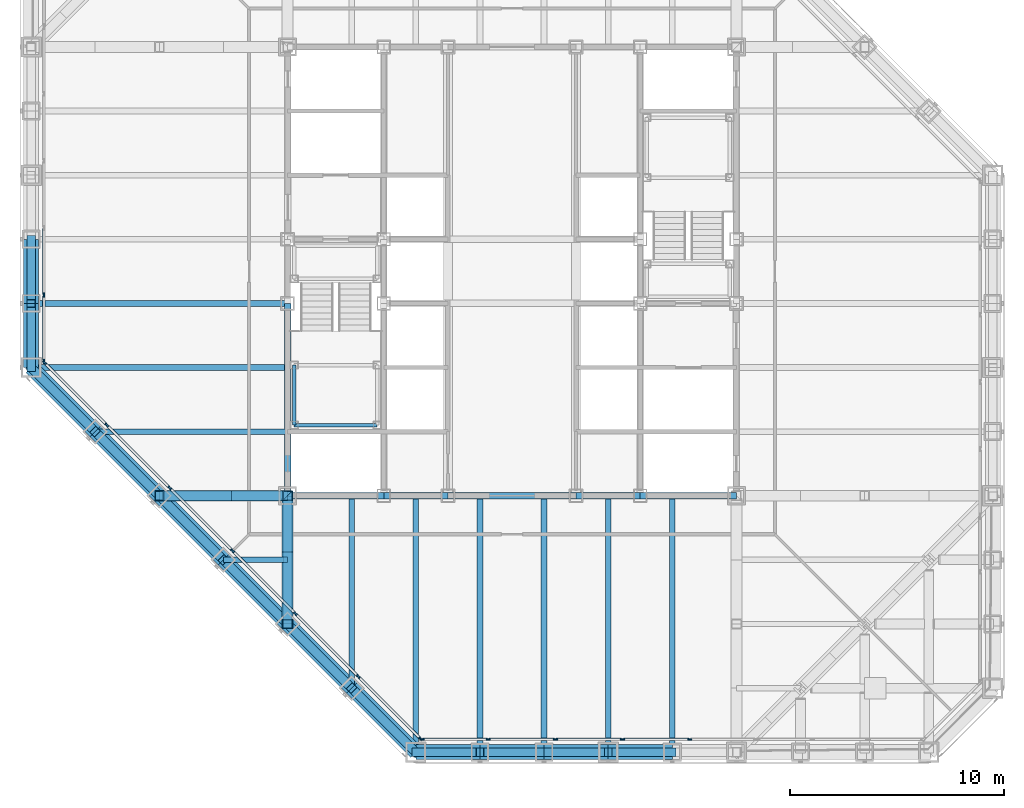
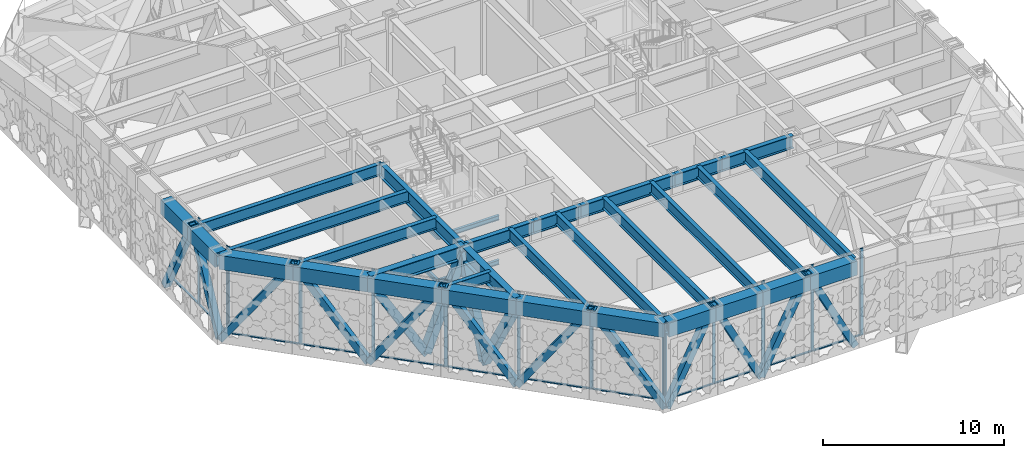
# One storey, part 4 of 28: 42 members, 34 beams, 3 elements without a shape of their own.
"""IFC4 building model written with IfcOpenShell, lengths in metres."""

from ifc_helpers import new_model, si_unit, direction, frame, origin, origin_2d, place, context, subcontext, project, spatial, rectangle, hollow_rectangle, i_section, extrude, material, layer, layer_set, material_profile, profile_set, type_object, element, aggregate, save


model = new_model("IFC4")

# Units and contexts
model_context = context("Model", 3, precision=1e-05, world=origin(), true_north=direction((0.0, 1.0)))
body_context = subcontext(model_context, "Body", "Model", "MODEL_VIEW")
ifc_project = project(units=[si_unit("LENGTHUNIT", "METRE"), si_unit("AREAUNIT", "SQUARE_METRE"), si_unit("VOLUMEUNIT", "CUBIC_METRE"), si_unit("PLANEANGLEUNIT", "RADIAN"), si_unit("MASSUNIT", "GRAM", prefix="KILO")], contexts=[model_context])

# Site, building, storey
site_placement = place(None, origin())
site = spatial("IfcSite", under=ifc_project, at=site_placement, CompositionType="ELEMENT")
building_placement = place(site_placement, origin())
building = spatial("IfcBuilding", under=site, at=building_placement, Name="Chuquiago Exchange Tower", CompositionType="ELEMENT")
storey_placement = place(building_placement, frame((0.0, 0.0, 174.0)))
storey = spatial("IfcBuildingStorey", under=building, at=storey_placement, Name="L38", CompositionType="ELEMENT", Elevation=174.0)

# Beams
ifc_material_1 = material(Name="Steel ASTM A992", Category="steel")
ifc_material_profile_1 = material_profile(ifc_material_1, i_section(OverallWidth=0.307373046875, OverallDepth=0.927001953125, WebThickness=0.01953125, FlangeThickness=0.031982421875, at=origin_2d()), Name="W36X194")
ifc_profile_set_1 = profile_set([ifc_material_profile_1], Name="Steel ASTM A992")
beam_type_1 = type_object("IfcBeamType", Name="B10 W36X194", PredefinedType="BEAM", material=ifc_profile_set_1)
beam_1_placement = place(storey_placement, frame((12.0, 12.0, 5.37646484375), z_axis=(0.0, 1.0, 0.0), x_axis=(-1.0, 0.0, 0.0)))
element("IfcBeam", 1, at=beam_1_placement, inside=storey, type_object=beam_type_1, Name="CB-L39-12_12-12_21", PredefinedType="BEAM", context=body_context, shape_type="SweptSolid", body=[
    extrude(i_section(OverallWidth=0.307373046875, OverallDepth=0.927001953125, WebThickness=0.01953125, FlangeThickness=0.031982421875, at=origin_2d()), origin(), (0.0, 0.0, 1.0), 9.0),
])
ifc_material_2 = material(Name="Steel ASTM A992", Category="steel")
ifc_material_profile_2 = material_profile(ifc_material_2, i_section(OverallWidth=0.2919921875, OverallDepth=0.8583984375, WebThickness=0.01708984375, FlangeThickness=0.031005859375, at=origin_2d()), Name="W33X169")
ifc_profile_set_2 = profile_set([ifc_material_profile_2], Name="Steel ASTM A992")
beam_type_2 = type_object("IfcBeamType", Name="B3 W33X169", PredefinedType="BEAM", material=ifc_profile_set_2)
beam_2_placement = place(storey_placement, frame((12.0, 12.0, 5.41064453125), z_axis=(1.0, 0.0, 0.0), x_axis=(0.0, 1.0, 0.0)))
element("IfcBeam", 2, at=beam_2_placement, inside=storey, type_object=beam_type_2, Name="CB-L39-12_12-16.5_12", PredefinedType="BEAM", context=body_context, shape_type="SweptSolid", body=[
    extrude(i_section(OverallWidth=0.2919921875, OverallDepth=0.8583984375, WebThickness=0.01708984375, FlangeThickness=0.031005859375, at=origin_2d()), origin(), (0.0, 0.0, 1.0), 4.5),
])
beam_3_placement = place(storey_placement, frame((16.5, 12.0, 5.41064453125), z_axis=(1.0, 0.0, 0.0), x_axis=(0.0, 1.0, 0.0)))
element("IfcBeam", 3, at=beam_3_placement, inside=storey, type_object=beam_type_2, Name="CB-L39-16.5_12-19.5_12", PredefinedType="BEAM", context=body_context, shape_type="SweptSolid", body=[
    extrude(i_section(OverallWidth=0.2919921875, OverallDepth=0.8583984375, WebThickness=0.01708984375, FlangeThickness=0.031005859375, at=origin_2d()), origin(), (0.0, 0.0, 1.0), 3.0),
])
beam_4_placement = place(storey_placement, frame((19.5, 12.0, 5.41064453125), z_axis=(1.0, 0.0, 0.0), x_axis=(0.0, 1.0, 0.0)))
element("IfcBeam", 4, at=beam_4_placement, inside=storey, type_object=beam_type_2, Name="CB-L39-19.5_12-25.5_12", PredefinedType="BEAM", context=body_context, shape_type="SweptSolid", body=[
    extrude(i_section(OverallWidth=0.2919921875, OverallDepth=0.8583984375, WebThickness=0.01708984375, FlangeThickness=0.031005859375, at=origin_2d()), origin(), (0.0, 0.0, 1.0), 6.0),
])
beam_5_placement = place(storey_placement, frame((25.5, 12.0, 5.41064453125), z_axis=(1.0, 0.0, 0.0), x_axis=(0.0, 1.0, 0.0)))
element("IfcBeam", 5, at=beam_5_placement, inside=storey, type_object=beam_type_2, Name="CB-L39-25.5_12-28.5_12", PredefinedType="BEAM", context=body_context, shape_type="SweptSolid", body=[
    extrude(i_section(OverallWidth=0.2919921875, OverallDepth=0.8583984375, WebThickness=0.01708984375, FlangeThickness=0.031005859375, at=origin_2d()), origin(), (0.0, 0.0, 1.0), 3.0),
])
beam_6_placement = place(storey_placement, frame((28.5, 12.0, 5.41064453125), z_axis=(1.0, 0.0, 0.0), x_axis=(0.0, 1.0, 0.0)))
element("IfcBeam", 6, at=beam_6_placement, inside=storey, type_object=beam_type_2, Name="CB-L39-28.5_12-33_12", PredefinedType="BEAM", context=body_context, shape_type="SweptSolid", body=[
    extrude(i_section(OverallWidth=0.2919921875, OverallDepth=0.8583984375, WebThickness=0.01708984375, FlangeThickness=0.031005859375, at=origin_2d()), origin(), (0.0, 0.0, 1.0), 4.5),
])
ifc_material_3 = material(Name="Steel ASTM A992", Category="steel")
ifc_material_profile_3 = material_profile(ifc_material_3, i_section(OverallWidth=0.2666015625, OverallDepth=0.761962890625, WebThickness=0.014404296875, FlangeThickness=0.021484375, at=origin_2d()), Name="W30X116")
ifc_profile_set_3 = profile_set([ifc_material_profile_3], Name="Steel ASTM A992")
beam_type_3 = type_object("IfcBeamType", Name="B8 W30X116", PredefinedType="BEAM", material=ifc_profile_set_3)
beam_7_placement = place(storey_placement, frame((15.0, 12.0, 5.458984375), z_axis=(0.0, -1.0, 0.0), x_axis=(1.0, 0.0, 0.0)))
element("IfcBeam", 7, at=beam_7_placement, inside=storey, type_object=beam_type_3, Name="FB-L39-infill-15_12-15_3-0", PredefinedType="BEAM", context=body_context, shape_type="SweptSolid", body=[
    extrude(i_section(OverallWidth=0.2666015625, OverallDepth=0.761962890625, WebThickness=0.014404296875, FlangeThickness=0.021484375, at=origin_2d()), origin(), (0.0, 0.0, 1.0), 9.0),
])
for number, where, z_axis, x_axis, name in (
    (8, (18.0, 12.0, 5.458984375), (0.0, -1.0, 0.0), (1.0, 0.0, 0.0), "FB-L39-infill-18_12-18_-0-0"),
    (9, (21.0, 12.0, 5.458984375), (0.0, -1.0, 0.0), (1.0, 0.0, 0.0), "FB-L39-infill-21_12-21_-0-0"),
    (10, (24.0, 12.0, 5.458984375), (0.0, -1.0, 0.0), (1.0, 0.0, 0.0), "FB-L39-infill-24_12-24_-0-0"),
    (11, (27.0, 12.0, 5.458984375), (0.0, -1.0, 0.0), (1.0, 0.0, 0.0), "FB-L39-infill-27_12-27_-0-0"),
    (12, (30.0, 12.0, 5.458984375), (0.0, -1.0, 0.0), (1.0, 0.0, 0.0), "FB-L39-infill-30_12-30_-0-0"),
):
    element("IfcBeam", number, at=place(storey_placement, frame(where, z_axis=z_axis, x_axis=x_axis)), inside=storey, type_object=beam_type_3, Name=name, PredefinedType="BEAM", context=body_context, shape_type="SweptSolid", body=[
        extrude(i_section(OverallWidth=0.2666015625, OverallDepth=0.761962890625, WebThickness=0.014404296875, FlangeThickness=0.021484375, at=origin_2d()), origin(), (0.0, 0.0, 1.0), 12.0),
    ])
beam_8_placement = place(storey_placement, frame((12.0, 15.0, 5.458984375), z_axis=(-1.0, 0.0, 0.0), x_axis=(0.0, -1.0, 0.0)))
element("IfcBeam", 13, at=beam_8_placement, inside=storey, type_object=beam_type_3, Name="FB-L39-infill-12_15-3_15-0", PredefinedType="BEAM", context=body_context, shape_type="SweptSolid", body=[
    extrude(i_section(OverallWidth=0.2666015625, OverallDepth=0.761962890625, WebThickness=0.014404296875, FlangeThickness=0.021484375, at=origin_2d()), origin(), (0.0, 0.0, 1.0), 9.0),
])
for number, where, z_axis, x_axis, name in (
    (14, (12.0, 18.0, 5.458984375), (-1.0, 0.0, 0.0), (0.0, -1.0, 0.0), "FB-L39-infill-12_18--0_18-0"),
    (15, (12.0, 21.0, 5.458984375), (-1.0, 0.0, 0.0), (0.0, -1.0, 0.0), "FB-L39-infill-12_21--0_21-0"),
):
    element("IfcBeam", number, at=place(storey_placement, frame(where, z_axis=z_axis, x_axis=x_axis)), inside=storey, type_object=beam_type_3, Name=name, PredefinedType="BEAM", context=body_context, shape_type="SweptSolid", body=[
        extrude(i_section(OverallWidth=0.2666015625, OverallDepth=0.761962890625, WebThickness=0.014404296875, FlangeThickness=0.021484375, at=origin_2d()), origin(), (0.0, 0.0, 1.0), 12.0),
    ])
ifc_material_4 = material(Name="Steel ASTM A992", Category="steel")
ifc_material_profile_4 = material_profile(ifc_material_4, i_section(OverallWidth=0.256591796875, OverallDepth=0.693359375, WebThickness=0.014404296875, FlangeThickness=0.023681640625, at=origin_2d()), Name="W27X114")
ifc_profile_set_4 = profile_set([ifc_material_profile_4], Name="Steel ASTM A992")
beam_type_4 = type_object("IfcBeamType", Name="B9 W27X114", PredefinedType="BEAM", material=ifc_profile_set_4)
beam_9_placement = place(storey_placement, frame((12.0, 9.0, 5.493408203125), z_axis=(-1.0, 0.0, 0.0), x_axis=(0.0, -1.0, 0.0)))
element("IfcBeam", 16, at=beam_9_placement, inside=storey, type_object=beam_type_4, Name="FB-L39-corner-12_9-9_9-0", PredefinedType="BEAM", context=body_context, shape_type="SweptSolid", body=[
    extrude(i_section(OverallWidth=0.256591796875, OverallDepth=0.693359375, WebThickness=0.014404296875, FlangeThickness=0.023681640625, at=origin_2d()), origin(), (0.0, 0.0, 1.0), 3.0),
])

# Members
ifc_material_5 = material(Name="Steel ASTM A500 Grade C", Category="steel")
ifc_material_profile_5 = material_profile(ifc_material_5, hollow_rectangle(XDim=0.406494140625, YDim=0.406494140625, WallThickness=0.0146484375, at=origin_2d()), Name="HSS16X16X5/8")
ifc_profile_set_5 = profile_set([ifc_material_profile_5], Name="Steel ASTM A500 Grade C")
member_type_1 = type_object("IfcMemberType", Name="BT1 HSS16X16X5/8", PredefinedType="BRACE", material=ifc_profile_set_5)
for number, where, z_axis, x_axis, name in (
    (17, (18.0, 0.0, 0.0), (0.456929540486, 0.0, 0.889502892087), (0.0, 1.0, 0.0), "Belt truss L38 diagonal"),
    (18, (24.0, 0.0, 0.0), (-0.456929540486, 0.0, 0.889502892087), (0.0, -1.0, 0.0), "Belt truss L38 diagonal"),
    (19, (24.0, 0.0, 0.0), (0.456929540486, 0.0, 0.889502892087), (0.0, 1.0, 0.0), "Belt truss L38 diagonal"),
    (20, (30.0, 0.0, 0.0), (-0.456929540486, 0.0, 0.889502892087), (0.0, -1.0, 0.0), "Belt truss L38 diagonal"),
    (21, (0.0, 24.0, 0.0), (0.0, -0.456929540486, 0.889502892087), (1.0, 0.0, 0.0), "Belt truss L38 diagonal"),
    (22, (0.0, 18.0, 0.0), (0.0, 0.456929540486, 0.889502892087), (-1.0, 0.0, 0.0), "Belt truss L38 diagonal"),
):
    element("IfcMember", number, at=place(storey_placement, frame(where, z_axis=z_axis, x_axis=x_axis)), inside=storey, type_object=member_type_1, Name=name, PredefinedType="BRACE", context=body_context, shape_type="SweptSolid", body=[
        extrude(hollow_rectangle(XDim=0.406494140625, YDim=0.406494140625, WallThickness=0.0146484375, at=origin_2d()), origin(), (0.0, 0.0, 1.0), 6.565673828125),
    ])
for number, where, z_axis, x_axis, name in (
    (23, (0.0, 18.0, 0.0), (0.415599269943, -0.415599269943, 0.80904542125), (0.707106781187, 0.707106781187, 0.0), "Belt truss L38 diagonal"),
    (24, (6.0, 12.0, 0.0), (-0.415599269943, 0.415599269943, 0.80904542125), (-0.707106781187, -0.707106781187, 0.0), "Belt truss L38 diagonal"),
    (25, (6.0, 12.0, 0.0), (0.415599269943, -0.415599269943, 0.80904542125), (0.707106781187, 0.707106781187, 0.0), "Belt truss L38 diagonal"),
    (26, (12.0, 6.0, 0.0), (-0.415599269943, 0.415599269943, 0.80904542125), (-0.707106781187, -0.707106781187, 0.0), "Belt truss L38 diagonal"),
    (27, (12.0, 6.0, 0.0), (0.415599269943, -0.415599269943, 0.80904542125), (0.707106781187, 0.707106781187, 0.0), "Belt truss L38 diagonal"),
    (28, (18.0, 0.0, 0.0), (-0.415599269943, 0.415599269943, 0.80904542125), (-0.707106781187, -0.707106781187, 0.0), "Belt truss L38 diagonal"),
):
    element("IfcMember", number, at=place(storey_placement, frame(where, z_axis=z_axis, x_axis=x_axis)), inside=storey, type_object=member_type_1, Name=name, PredefinedType="BRACE", context=body_context, shape_type="SweptSolid", body=[
        extrude(hollow_rectangle(XDim=0.406494140625, YDim=0.406494140625, WallThickness=0.0146484375, at=origin_2d()), origin(), (0.0, 0.0, 1.0), 7.218505859375),
    ])

# Curtain wall, members
ifc_material_6 = material(Name="Aluminium curtain wall system", Category="aluminium")
ifc_layer = layer(ifc_material_6, 0.199951171875)
ifc_layer_set = layer_set([ifc_layer], Name="CW6 plant floor louvre wall")
curtain_wall_type = type_object("IfcCurtainWallType", Name="CW6 plant floor louvre wall", PredefinedType="NOTDEFINED", material=ifc_layer_set)
curtain_wall_1_placement = place(storey_placement, origin())
curtain_wall_1 = element("IfcCurtainWall", 29, at=curtain_wall_1_placement, inside=storey, type_object=curtain_wall_type, Name="CW6 curtain wall L38", PredefinedType="NOTDEFINED")
ifc_material_7 = material(Name="Aluminium mullion, pale anodised", Category="aluminium")
ifc_material_profile_6 = material_profile(ifc_material_7, rectangle(XDim=0.074951171875, YDim=0.199951171875, at=origin_2d()), Name="AL 75x200")
ifc_profile_set_6 = profile_set([ifc_material_profile_6], Name="Aluminium mullion, pale anodised")
member_type_2 = type_object("IfcMemberType", Name="CW6-M mullion 75x200", PredefinedType="MULLION", material=ifc_profile_set_6)
member_1_placement = place(storey_placement, frame((18.285888671875, 0.60009765625, 0.0), z_axis=(0.0, 0.0, 1.0), x_axis=(0.0, 1.0, 0.0)))
member_1 = element("IfcMember", 30, at=member_1_placement, type_object=member_type_2, Name="CW6 mullion 1", PredefinedType="MULLION", context=body_context, shape_type="SweptSolid", body=[
    extrude(rectangle(XDim=0.074951171875, YDim=0.199951171875, at=origin_2d()), origin(), (0.0, 0.0, 1.0), 5.840087890625),
])
member_2_placement = place(storey_placement, frame((21.389404296875, 0.60009765625, 0.0), z_axis=(0.0, 0.0, 1.0), x_axis=(0.0, 1.0, 0.0)))
member_2 = element("IfcMember", 31, at=member_2_placement, type_object=member_type_2, Name="CW6 mullion 2", PredefinedType="MULLION", context=body_context, shape_type="SweptSolid", body=[
    extrude(rectangle(XDim=0.074951171875, YDim=0.199951171875, at=origin_2d()), origin(), (0.0, 0.0, 1.0), 5.840087890625),
])
member_3_placement = place(storey_placement, frame((24.530517578125, 0.60009765625, 0.0), z_axis=(0.0, 0.0, 1.0), x_axis=(0.0, 1.0, 0.0)))
member_3 = element("IfcMember", 32, at=member_3_placement, type_object=member_type_2, Name="CW6 mullion 3", PredefinedType="MULLION", context=body_context, shape_type="SweptSolid", body=[
    extrude(rectangle(XDim=0.074951171875, YDim=0.199951171875, at=origin_2d()), origin(), (0.0, 0.0, 1.0), 5.840087890625),
])
member_4_placement = place(storey_placement, frame((27.67138671875, 0.60009765625, 0.0), z_axis=(0.0, 0.0, 1.0), x_axis=(0.0, 1.0, 0.0)))
member_4 = element("IfcMember", 33, at=member_4_placement, type_object=member_type_2, Name="CW6 mullion 4", PredefinedType="MULLION", context=body_context, shape_type="SweptSolid", body=[
    extrude(rectangle(XDim=0.074951171875, YDim=0.199951171875, at=origin_2d()), origin(), (0.0, 0.0, 1.0), 5.840087890625),
])
member_5_placement = place(storey_placement, frame((30.8125, 0.60009765625, 0.0), z_axis=(0.0, 0.0, 1.0), x_axis=(0.0, 1.0, 0.0)))
member_5 = element("IfcMember", 34, at=member_5_placement, type_object=member_type_2, Name="CW6 mullion 5", PredefinedType="MULLION", context=body_context, shape_type="SweptSolid", body=[
    extrude(rectangle(XDim=0.074951171875, YDim=0.199951171875, at=origin_2d()), origin(), (0.0, 0.0, 1.0), 5.840087890625),
])

curtain_wall_2_placement = place(storey_placement, origin())
curtain_wall_2 = element("IfcCurtainWall", 35, at=curtain_wall_2_placement, inside=storey, type_object=curtain_wall_type, Name="CW6 curtain wall L38", PredefinedType="NOTDEFINED")
member_6_placement = place(storey_placement, frame((0.60009765625, 21.389404296875, 0.0), z_axis=(0.0, 0.0, 1.0), x_axis=(1.0, 0.0, 0.0)))
member_6 = element("IfcMember", 36, at=member_6_placement, type_object=member_type_2, Name="CW6 mullion 5", PredefinedType="MULLION", context=body_context, shape_type="SweptSolid", body=[
    extrude(rectangle(XDim=0.074951171875, YDim=0.199951171875, at=origin_2d()), origin(), (0.0, 0.0, 1.0), 5.840087890625),
])
member_7_placement = place(storey_placement, frame((0.60009765625, 18.285888671875, 0.0), z_axis=(0.0, 0.0, 1.0), x_axis=(1.0, 0.0, 0.0)))
member_7 = element("IfcMember", 37, at=member_7_placement, type_object=member_type_2, Name="CW6 mullion 6", PredefinedType="MULLION", context=body_context, shape_type="SweptSolid", body=[
    extrude(rectangle(XDim=0.074951171875, YDim=0.199951171875, at=origin_2d()), origin(), (0.0, 0.0, 1.0), 5.840087890625),
])

curtain_wall_3_placement = place(storey_placement, origin())
curtain_wall_3 = element("IfcCurtainWall", 38, at=curtain_wall_3_placement, inside=storey, type_object=curtain_wall_type, Name="CW6 curtain wall L38", PredefinedType="NOTDEFINED")
member_8_placement = place(storey_placement, frame((0.62646484375, 18.221923828125, 0.0), z_axis=(0.0, 0.0, 1.0), x_axis=(0.707106781187, 0.707106781187, 0.0)))
member_8 = element("IfcMember", 39, at=member_8_placement, type_object=member_type_2, Name="CW6 mullion 1", PredefinedType="MULLION", context=body_context, shape_type="SweptSolid", body=[
    extrude(rectangle(XDim=0.074951171875, YDim=0.199951171875, at=origin_2d()), origin(), (0.0, 0.0, 1.0), 5.840087890625),
])
member_9_placement = place(storey_placement, frame((3.54150390625, 15.30712890625, 0.0), z_axis=(0.0, 0.0, 1.0), x_axis=(0.707106781187, 0.707106781187, 0.0)))
member_9 = element("IfcMember", 40, at=member_9_placement, type_object=member_type_2, Name="CW6 mullion 2", PredefinedType="MULLION", context=body_context, shape_type="SweptSolid", body=[
    extrude(rectangle(XDim=0.074951171875, YDim=0.199951171875, at=origin_2d()), origin(), (0.0, 0.0, 1.0), 5.840087890625),
])
member_10_placement = place(storey_placement, frame((6.48291015625, 12.36572265625, 0.0), z_axis=(0.0, 0.0, 1.0), x_axis=(0.707106781187, 0.707106781187, 0.0)))
member_10 = element("IfcMember", 41, at=member_10_placement, type_object=member_type_2, Name="CW6 mullion 3", PredefinedType="MULLION", context=body_context, shape_type="SweptSolid", body=[
    extrude(rectangle(XDim=0.074951171875, YDim=0.199951171875, at=origin_2d()), origin(), (0.0, 0.0, 1.0), 5.840087890625),
])
member_11_placement = place(storey_placement, frame((9.42431640625, 9.42431640625, 0.0), z_axis=(0.0, 0.0, 1.0), x_axis=(0.707106781187, 0.707106781187, 0.0)))
member_11 = element("IfcMember", 42, at=member_11_placement, type_object=member_type_2, Name="CW6 mullion 4", PredefinedType="MULLION", context=body_context, shape_type="SweptSolid", body=[
    extrude(rectangle(XDim=0.074951171875, YDim=0.199951171875, at=origin_2d()), origin(), (0.0, 0.0, 1.0), 5.840087890625),
])
member_12_placement = place(storey_placement, frame((12.36572265625, 6.48291015625, 0.0), z_axis=(0.0, 0.0, 1.0), x_axis=(0.707106781187, 0.707106781187, 0.0)))
member_12 = element("IfcMember", 43, at=member_12_placement, type_object=member_type_2, Name="CW6 mullion 5", PredefinedType="MULLION", context=body_context, shape_type="SweptSolid", body=[
    extrude(rectangle(XDim=0.074951171875, YDim=0.199951171875, at=origin_2d()), origin(), (0.0, 0.0, 1.0), 5.840087890625),
])
member_13_placement = place(storey_placement, frame((15.30712890625, 3.54150390625, 0.0), z_axis=(0.0, 0.0, 1.0), x_axis=(0.707106781187, 0.707106781187, 0.0)))
member_13 = element("IfcMember", 44, at=member_13_placement, type_object=member_type_2, Name="CW6 mullion 6", PredefinedType="MULLION", context=body_context, shape_type="SweptSolid", body=[
    extrude(rectangle(XDim=0.074951171875, YDim=0.199951171875, at=origin_2d()), origin(), (0.0, 0.0, 1.0), 5.840087890625),
])
member_14_placement = place(storey_placement, frame((18.221923828125, 0.62646484375, 0.0), z_axis=(0.0, 0.0, 1.0), x_axis=(0.707106781187, 0.707106781187, 0.0)))
member_14 = element("IfcMember", 45, at=member_14_placement, type_object=member_type_2, Name="CW6 mullion 7", PredefinedType="MULLION", context=body_context, shape_type="SweptSolid", body=[
    extrude(rectangle(XDim=0.074951171875, YDim=0.199951171875, at=origin_2d()), origin(), (0.0, 0.0, 1.0), 5.840087890625),
])

# Member
ifc_material_8 = material(Name="Aluminium transom, pale anodised", Category="aluminium")
ifc_material_profile_7 = material_profile(ifc_material_8, rectangle(XDim=0.1201171875, YDim=0.074951171875, at=origin_2d()), Name="AL 120x75")
ifc_profile_set_7 = profile_set([ifc_material_profile_7], Name="Aluminium transom, pale anodised")
member_type_3 = type_object("IfcMemberType", Name="CW6-T transom 75x120", PredefinedType="MULLION", material=ifc_profile_set_7)
member_15_placement = place(storey_placement, frame((18.323486328125, 0.60009765625, 0.03759765625), z_axis=(1.0, 0.0, 0.0), x_axis=(0.0, 1.0, 0.0)))
member_15 = element("IfcMember", 46, at=member_15_placement, type_object=member_type_3, Name="CW6 transom 1.1", PredefinedType="MULLION", context=body_context, shape_type="SweptSolid", body=[
    extrude(rectangle(XDim=0.1201171875, YDim=0.074951171875, at=origin_2d()), origin(), (0.0, 0.0, 1.0), 3.028564453125),
])

member_16_placement = place(storey_placement, frame((21.427001953125, 0.60009765625, 0.03759765625), z_axis=(1.0, 0.0, 0.0), x_axis=(0.0, 1.0, 0.0)))
member_16 = element("IfcMember", 47, at=member_16_placement, type_object=member_type_3, Name="CW6 transom 2.1", PredefinedType="MULLION", context=body_context, shape_type="SweptSolid", body=[
    extrude(rectangle(XDim=0.1201171875, YDim=0.074951171875, at=origin_2d()), origin(), (0.0, 0.0, 1.0), 3.06591796875),
])

member_17_placement = place(storey_placement, frame((24.568115234375, 0.60009765625, 0.03759765625), z_axis=(1.0, 0.0, 0.0), x_axis=(0.0, 1.0, 0.0)))
member_17 = element("IfcMember", 48, at=member_17_placement, type_object=member_type_3, Name="CW6 transom 3.1", PredefinedType="MULLION", context=body_context, shape_type="SweptSolid", body=[
    extrude(rectangle(XDim=0.1201171875, YDim=0.074951171875, at=origin_2d()), origin(), (0.0, 0.0, 1.0), 3.06591796875),
])

member_18_placement = place(storey_placement, frame((27.708984375, 0.60009765625, 0.03759765625), z_axis=(1.0, 0.0, 0.0), x_axis=(0.0, 1.0, 0.0)))
member_18 = element("IfcMember", 49, at=member_18_placement, type_object=member_type_3, Name="CW6 transom 4.1", PredefinedType="MULLION", context=body_context, shape_type="SweptSolid", body=[
    extrude(rectangle(XDim=0.1201171875, YDim=0.074951171875, at=origin_2d()), origin(), (0.0, 0.0, 1.0), 3.06591796875),
])

aggregate(curtain_wall_1, [member_1, member_2, member_3, member_4, member_5, member_15, member_16, member_17, member_18])

member_19_placement = place(storey_placement, frame((0.60009765625, 24.492919921875, 0.03759765625), z_axis=(0.0, -1.0, 0.0), x_axis=(1.0, 0.0, 0.0)))
member_19 = element("IfcMember", 50, at=member_19_placement, type_object=member_type_3, Name="CW6 transom 4.1", PredefinedType="MULLION", context=body_context, shape_type="SweptSolid", body=[
    extrude(rectangle(XDim=0.1201171875, YDim=0.074951171875, at=origin_2d()), origin(), (0.0, 0.0, 1.0), 3.06591796875),
])

member_20_placement = place(storey_placement, frame((0.60009765625, 21.35205078125, 0.03759765625), z_axis=(0.0, -1.0, 0.0), x_axis=(1.0, 0.0, 0.0)))
member_20 = element("IfcMember", 51, at=member_20_placement, type_object=member_type_3, Name="CW6 transom 5.1", PredefinedType="MULLION", context=body_context, shape_type="SweptSolid", body=[
    extrude(rectangle(XDim=0.1201171875, YDim=0.074951171875, at=origin_2d()), origin(), (0.0, 0.0, 1.0), 3.028564453125),
])

aggregate(curtain_wall_2, [member_6, member_7, member_19, member_20])

member_21_placement = place(storey_placement, frame((0.653076171875, 18.195556640625, 0.03759765625), z_axis=(0.707076620305, -0.707136940781, 0.0), x_axis=(0.707136940781, 0.707076620305, 0.0)))
member_21 = element("IfcMember", 52, at=member_21_placement, type_object=member_type_3, Name="CW6 transom 1.1", PredefinedType="MULLION", context=body_context, shape_type="SweptSolid", body=[
    extrude(rectangle(XDim=0.1201171875, YDim=0.074951171875, at=origin_2d()), origin(), (0.0, 0.0, 1.0), 4.04736328125),
])

member_22_placement = place(storey_placement, frame((3.56787109375, 15.280517578125, 0.03759765625), z_axis=(0.707106781187, -0.707106781187, 0.0), x_axis=(0.707106781187, 0.707106781187, 0.0)))
member_22 = element("IfcMember", 53, at=member_22_placement, type_object=member_type_3, Name="CW6 transom 2.1", PredefinedType="MULLION", context=body_context, shape_type="SweptSolid", body=[
    extrude(rectangle(XDim=0.1201171875, YDim=0.074951171875, at=origin_2d()), origin(), (0.0, 0.0, 1.0), 4.0849609375),
])

member_23_placement = place(storey_placement, frame((6.50927734375, 12.339111328125, 0.03759765625), z_axis=(0.707106781187, -0.707106781187, 0.0), x_axis=(0.707106781187, 0.707106781187, 0.0)))
member_23 = element("IfcMember", 54, at=member_23_placement, type_object=member_type_3, Name="CW6 transom 3.1", PredefinedType="MULLION", context=body_context, shape_type="SweptSolid", body=[
    extrude(rectangle(XDim=0.1201171875, YDim=0.074951171875, at=origin_2d()), origin(), (0.0, 0.0, 1.0), 4.0849609375),
])

member_24_placement = place(storey_placement, frame((9.45068359375, 9.397705078125, 0.03759765625), z_axis=(0.707106781187, -0.707106781187, 0.0), x_axis=(0.707106781187, 0.707106781187, 0.0)))
member_24 = element("IfcMember", 55, at=member_24_placement, type_object=member_type_3, Name="CW6 transom 4.1", PredefinedType="MULLION", context=body_context, shape_type="SweptSolid", body=[
    extrude(rectangle(XDim=0.1201171875, YDim=0.074951171875, at=origin_2d()), origin(), (0.0, 0.0, 1.0), 4.0849609375),
])

member_25_placement = place(storey_placement, frame((12.39208984375, 6.456298828125, 0.03759765625), z_axis=(0.707106781187, -0.707106781187, 0.0), x_axis=(0.707106781187, 0.707106781187, 0.0)))
member_25 = element("IfcMember", 56, at=member_25_placement, type_object=member_type_3, Name="CW6 transom 5.1", PredefinedType="MULLION", context=body_context, shape_type="SweptSolid", body=[
    extrude(rectangle(XDim=0.1201171875, YDim=0.074951171875, at=origin_2d()), origin(), (0.0, 0.0, 1.0), 4.0849609375),
])

member_26_placement = place(storey_placement, frame((15.33349609375, 3.514892578125, 0.03759765625), z_axis=(0.707136940781, -0.707076620305, 0.0), x_axis=(0.707076620305, 0.707136940781, 0.0)))
member_26 = element("IfcMember", 57, at=member_26_placement, type_object=member_type_3, Name="CW6 transom 6.1", PredefinedType="MULLION", context=body_context, shape_type="SweptSolid", body=[
    extrude(rectangle(XDim=0.1201171875, YDim=0.074951171875, at=origin_2d()), origin(), (0.0, 0.0, 1.0), 4.04736328125),
])

aggregate(curtain_wall_3, [member_8, member_9, member_10, member_11, member_12, member_13, member_14, member_21, member_22, member_23, member_24, member_25, member_26])

# Beams
ifc_material_9 = material(Name="Steel ASTM A992", Category="steel")
ifc_material_profile_8 = material_profile(ifc_material_9, i_section(OverallWidth=0.424072265625, OverallDepth=0.947509765625, WebThickness=0.02392578125, FlangeThickness=0.042724609375, at=origin_2d()), Name="W36X302")
ifc_profile_set_8 = profile_set([ifc_material_profile_8], Name="Steel ASTM A992")
beam_type_5 = type_object("IfcBeamType", Name="G4 W36X302", PredefinedType="BEAM", material=ifc_profile_set_8)
for number, where, z_axis, x_axis, name in (
    (58, (12.0, 12.0, 5.3662109375), (0.0, -1.0, 0.0), (1.0, 0.0, 0.0), "FB-L39-girder-12_12-12_6-0"),
    (59, (12.0, 12.0, 5.3662109375), (-1.0, 0.0, 0.0), (0.0, -1.0, 0.0), "FB-L39-girder-12_12-6_12-0"),
):
    element("IfcBeam", number, at=place(storey_placement, frame(where, z_axis=z_axis, x_axis=x_axis)), inside=storey, type_object=beam_type_5, Name=name, PredefinedType="BEAM", context=body_context, shape_type="SweptSolid", body=[
        extrude(i_section(OverallWidth=0.424072265625, OverallDepth=0.947509765625, WebThickness=0.02392578125, FlangeThickness=0.042724609375, at=origin_2d()), origin(), (0.0, 0.0, 1.0), 6.0),
    ])
ifc_material_10 = material(Name="Steel ASTM A992", Category="steel")
ifc_material_profile_9 = material_profile(ifc_material_10, i_section(OverallWidth=0.164794921875, OverallDepth=0.309814453125, WebThickness=0.005859375, FlangeThickness=0.009765625, at=origin_2d()), Name="W12X26")
ifc_profile_set_9 = profile_set([ifc_material_profile_9], Name="Steel ASTM A992")
beam_type_6 = type_object("IfcBeamType", Name="LS1 W12X26", PredefinedType="BEAM", material=ifc_profile_set_9)
for number, where, z_axis, x_axis, name in (
    (60, (12.31005859375, 15.31005859375, 1.14501953125), (0.0, 1.0, 0.0), (-1.0, 0.0, 0.0), "Stair ST1 L38 landing 1 stringer"),
    (61, (12.31005859375, 15.31005859375, 4.14501953125), (0.0, 1.0, 0.0), (-1.0, 0.0, 0.0), "Stair ST1 L38 landing 3 stringer"),
):
    element("IfcBeam", number, at=place(storey_placement, frame(where, z_axis=z_axis, x_axis=x_axis)), inside=storey, type_object=beam_type_6, Name=name, PredefinedType="BEAM", context=body_context, shape_type="SweptSolid", body=[
        extrude(i_section(OverallWidth=0.164794921875, OverallDepth=0.309814453125, WebThickness=0.005859375, FlangeThickness=0.009765625, at=origin_2d()), origin(), (0.0, 0.0, 1.0), 2.800048828125),
    ])
ifc_material_11 = material(Name="Steel ASTM A992", Category="steel")
ifc_material_profile_10 = material_profile(ifc_material_11, i_section(OverallWidth=0.164794921875, OverallDepth=0.309814453125, WebThickness=0.005859375, FlangeThickness=0.009765625, at=origin_2d()), Name="W12X26")
ifc_profile_set_10 = profile_set([ifc_material_profile_10], Name="Steel ASTM A992")
beam_type_7 = type_object("IfcBeamType", Name="LT1 W12X26", PredefinedType="BEAM", material=ifc_profile_set_10)
for number, where, z_axis, x_axis, name in (
    (62, (12.31005859375, 15.31005859375, 1.14501953125), (1.0, 0.0, 0.0), (0.0, 1.0, 0.0), "Stair ST1 L38 landing 1 trimmer"),
    (63, (12.31005859375, 15.31005859375, 4.14501953125), (1.0, 0.0, 0.0), (0.0, 1.0, 0.0), "Stair ST1 L38 landing 3 trimmer"),
):
    element("IfcBeam", number, at=place(storey_placement, frame(where, z_axis=z_axis, x_axis=x_axis)), inside=storey, type_object=beam_type_7, Name=name, PredefinedType="BEAM", context=body_context, shape_type="SweptSolid", body=[
        extrude(i_section(OverallWidth=0.164794921875, OverallDepth=0.309814453125, WebThickness=0.005859375, FlangeThickness=0.009765625, at=origin_2d()), origin(), (0.0, 0.0, 1.0), 3.8798828125),
    ])

# Members
ifc_material_12 = material(Name="Steel ASTM A572 Grade 50", Category="steel")
ifc_material_profile_11 = material_profile(ifc_material_12, hollow_rectangle(XDim=0.5, YDim=0.5, WallThickness=0.0400390625, at=origin_2d()), Name="BOX500X500X40")
ifc_profile_set_11 = profile_set([ifc_material_profile_11], Name="Steel ASTM A572 Grade 50")
member_type_4 = type_object("IfcMemberType", Name="OT1 BOX500X500X40", PredefinedType="BRACE", material=ifc_profile_set_11)
member_27_placement = place(storey_placement, frame((12.0, 12.0, 5.3662109375), z_axis=(0.0, -0.371377648723, -0.928481901832), x_axis=(1.0, 0.0, 0.0)))
element("IfcMember", 64, at=member_27_placement, inside=storey, type_object=member_type_4, Name="Outrigger diagonal L38", PredefinedType="BRACE", context=body_context, shape_type="SweptSolid", body=[
    extrude(hollow_rectangle(XDim=0.5, YDim=0.5, WallThickness=0.0400390625, at=origin_2d()), origin(), (0.0, 0.0, 1.0), 6.462158203125),
])
member_28_placement = place(storey_placement, frame((12.0, 9.60009765625, -0.6337890625), z_axis=(0.0, -0.514506017516, 0.857486768376), x_axis=(1.0, 0.0, 0.0)))
element("IfcMember", 65, at=member_28_placement, inside=storey, type_object=member_type_4, Name="Outrigger diagonal L38", PredefinedType="BRACE", context=body_context, shape_type="SweptSolid", body=[
    extrude(hollow_rectangle(XDim=0.5, YDim=0.5, WallThickness=0.0400390625, at=origin_2d()), origin(), (0.0, 0.0, 1.0), 6.997314453125),
])
member_29_placement = place(storey_placement, frame((12.0, 12.0, 5.3662109375), z_axis=(-0.371377648723, 0.0, -0.928481901832), x_axis=(0.0, -1.0, 0.0)))
element("IfcMember", 66, at=member_29_placement, inside=storey, type_object=member_type_4, Name="Outrigger diagonal L38", PredefinedType="BRACE", context=body_context, shape_type="SweptSolid", body=[
    extrude(hollow_rectangle(XDim=0.5, YDim=0.5, WallThickness=0.0400390625, at=origin_2d()), origin(), (0.0, 0.0, 1.0), 6.462158203125),
])
member_30_placement = place(storey_placement, frame((9.60009765625, 12.0, -0.6337890625), z_axis=(-0.514506017516, 0.0, 0.857486768376), x_axis=(0.0, -1.0, 0.0)))
element("IfcMember", 67, at=member_30_placement, inside=storey, type_object=member_type_4, Name="Outrigger diagonal L38", PredefinedType="BRACE", context=body_context, shape_type="SweptSolid", body=[
    extrude(hollow_rectangle(XDim=0.5, YDim=0.5, WallThickness=0.0400390625, at=origin_2d()), origin(), (0.0, 0.0, 1.0), 6.997314453125),
])

# Beams
ifc_material_13 = material(Name="Steel ASTM A572 Grade 50", Category="steel")
ifc_material_profile_12 = material_profile(ifc_material_13, hollow_rectangle(XDim=0.699951171875, YDim=0.949951171875, WallThickness=0.10009765625, at=origin_2d()), Name="BOX950X700X100")
ifc_profile_set_12 = profile_set([ifc_material_profile_12], Name="Steel ASTM A572 Grade 50")
beam_type_8 = type_object("IfcBeamType", Name="SP5 BOX950X700X100", PredefinedType="SPANDREL", material=ifc_profile_set_12)
for number, where, z_axis, x_axis, name in (
    (68, (18.0, 0.0, 5.364990234375), (1.0, 0.0, 0.0), (0.0, 1.0, 0.0), "SPB-L39-18_0-21_0"),
    (69, (21.0, 0.0, 5.364990234375), (1.0, 0.0, 0.0), (0.0, 1.0, 0.0), "SPB-L39-21_0-24_0"),
    (70, (24.0, 0.0, 5.364990234375), (1.0, 0.0, 0.0), (0.0, 1.0, 0.0), "SPB-L39-24_0-27_0"),
    (71, (27.0, 0.0, 5.364990234375), (1.0, 0.0, 0.0), (0.0, 1.0, 0.0), "SPB-L39-27_0-30_0"),
    (72, (0.0, 24.0, 5.364990234375), (0.0, -1.0, 0.0), (1.0, 0.0, 0.0), "SPB-L39-0_24-0_21"),
    (73, (0.0, 21.0, 5.364990234375), (0.0, -1.0, 0.0), (1.0, 0.0, 0.0), "SPB-L39-0_21-0_18"),
):
    element("IfcBeam", number, at=place(storey_placement, frame(where, z_axis=z_axis, x_axis=x_axis)), inside=storey, type_object=beam_type_8, Name=name, PredefinedType="SPANDREL", context=body_context, shape_type="SweptSolid", body=[
        extrude(hollow_rectangle(XDim=0.699951171875, YDim=0.949951171875, WallThickness=0.10009765625, at=origin_2d()), origin(), (0.0, 0.0, 1.0), 3.0),
    ])
for number, where, z_axis, x_axis, name in (
    (74, (0.0, 18.0, 5.364990234375), (0.707106781187, -0.707106781187, 0.0), (0.707106781187, 0.707106781187, 0.0), "SPB-L39-0_18-3_15"),
    (75, (3.0, 15.0, 5.364990234375), (0.707106781187, -0.707106781187, 0.0), (0.707106781187, 0.707106781187, 0.0), "SPB-L39-3_15-6_12"),
    (76, (6.0, 12.0, 5.364990234375), (0.707106781187, -0.707106781187, 0.0), (0.707106781187, 0.707106781187, 0.0), "SPB-L39-6_12-9_9"),
    (77, (9.0, 9.0, 5.364990234375), (0.707106781187, -0.707106781187, 0.0), (0.707106781187, 0.707106781187, 0.0), "SPB-L39-9_9-12_6"),
    (78, (12.0, 6.0, 5.364990234375), (0.707106781187, -0.707106781187, 0.0), (0.707106781187, 0.707106781187, 0.0), "SPB-L39-12_6-15_3"),
    (79, (15.0, 3.0, 5.364990234375), (0.707106781187, -0.707106781187, 0.0), (0.707106781187, 0.707106781187, 0.0), "SPB-L39-15_3-18_0"),
):
    element("IfcBeam", number, at=place(storey_placement, frame(where, z_axis=z_axis, x_axis=x_axis)), inside=storey, type_object=beam_type_8, Name=name, PredefinedType="SPANDREL", context=body_context, shape_type="SweptSolid", body=[
        extrude(hollow_rectangle(XDim=0.699951171875, YDim=0.949951171875, WallThickness=0.10009765625, at=origin_2d()), origin(), (0.0, 0.0, 1.0), 4.24267578125),
    ])

save(model, "model.ifc")
